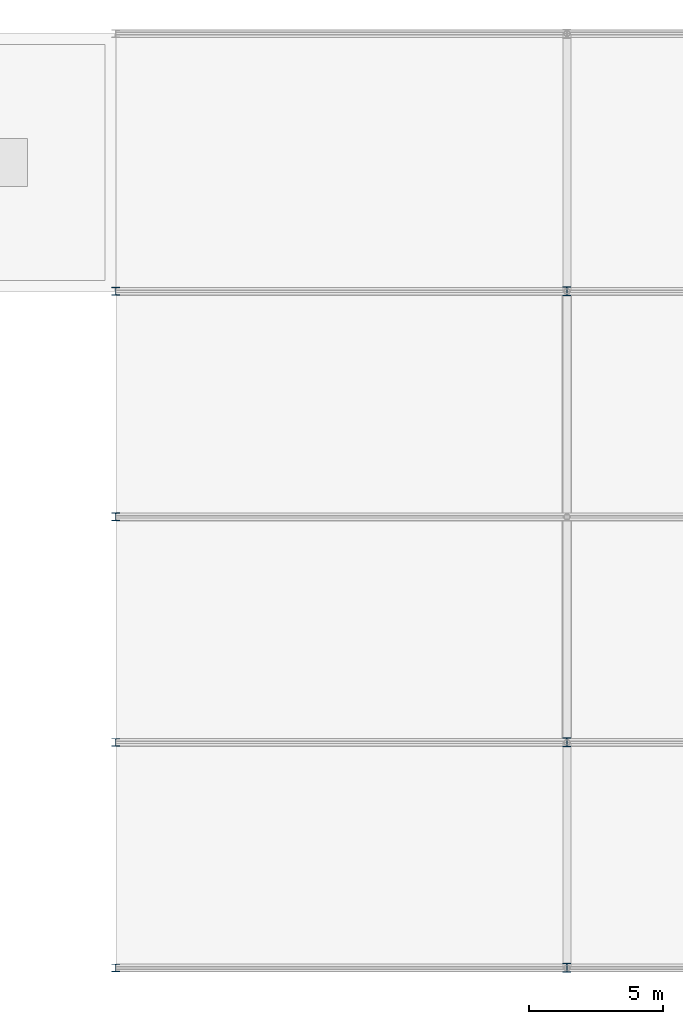
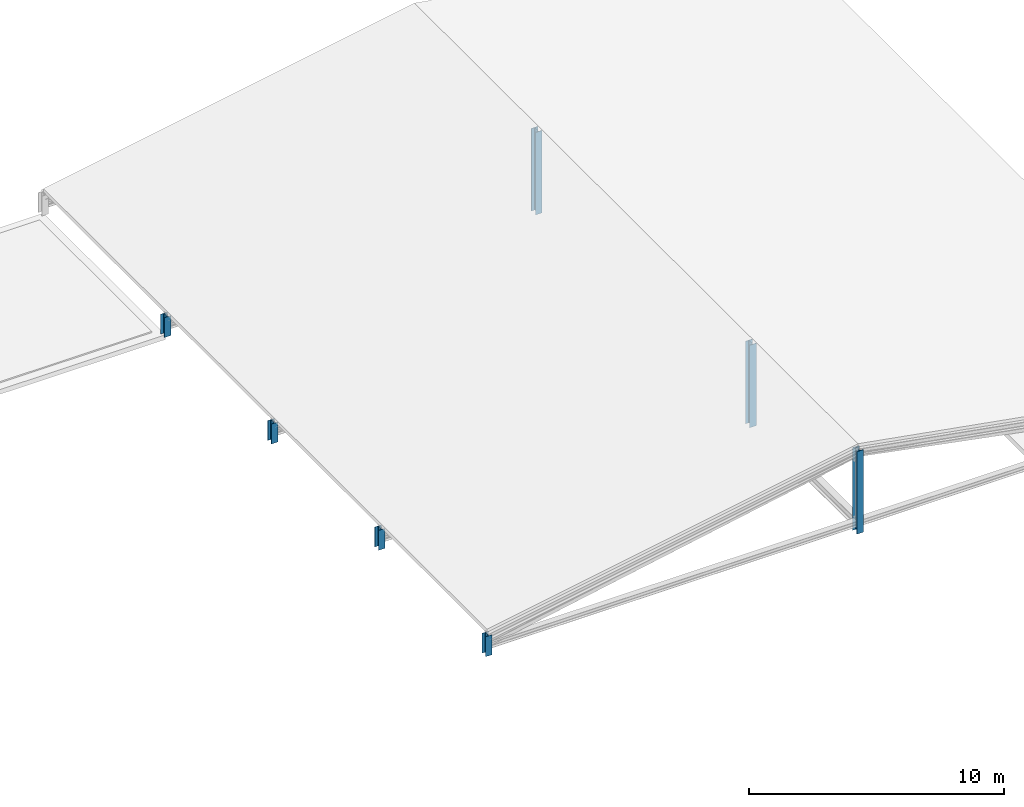
# One storey, part 6 of 90: 7 columns.
"""IFC4 building model written with IfcOpenShell, lengths in metres."""

from ifc_helpers import new_model, si_unit, derived_unit, direction, frame, origin, origin_2d, place, context, subcontext, project, spatial, i_section, extrude, material, material_profile, profile_set, type_object, element, save


model = new_model("IFC4")

# Units and contexts
model_context = context("Model", 3, precision=1e-05, world=origin(), true_north=direction((0.0, 1.0)))
body_context = subcontext(model_context, "Body", "Model", "MODEL_VIEW")
ifc_project = project(units=[si_unit("LENGTHUNIT", "METRE"), si_unit("AREAUNIT", "SQUARE_METRE"), si_unit("VOLUMEUNIT", "CUBIC_METRE"), si_unit("PLANEANGLEUNIT", "RADIAN"), si_unit("MASSUNIT", "GRAM", prefix="KILO"), derived_unit("THERMALTRANSMITTANCEUNIT", [(si_unit("POWERUNIT", "WATT"), 1), (si_unit("AREAUNIT", "SQUARE_METRE"), -1), (si_unit("THERMODYNAMICTEMPERATUREUNIT", "KELVIN"), -1)])], contexts=[model_context])

# Site, building, storey
site_placement = place(None, origin())
site = spatial("IfcSite", under=ifc_project, at=site_placement, CompositionType="ELEMENT")
building_placement = place(site_placement, origin())
building = spatial("IfcBuilding", under=site, at=building_placement, Name="Yasenodar Specialist Clinic", CompositionType="ELEMENT")
storey_placement = place(building_placement, frame((0.0, 0.0, 9.0)))
storey = spatial("IfcBuildingStorey", under=building, at=storey_placement, Name="L02", CompositionType="ELEMENT", Elevation=9.0)

# Columns
ifc_material = material(Name="Steel S355", Category="steel")
ifc_material_profile_1 = material_profile(ifc_material, i_section(OverallWidth=0.300048828125, OverallDepth=0.2900390625, WebThickness=0.008544921875, FlangeThickness=0.013916015625, FilletRadius=0.027099609375, at=origin_2d()), Name="HEA 300")
ifc_profile_set_1 = profile_set([ifc_material_profile_1], Name="Steel S355")
column_type_1 = type_object("IfcColumnType", Name="COL-ST-HEA300", PredefinedType="COLUMN", material=ifc_profile_set_1)
for number, where, z_axis, x_axis, name in (
    (1, (105.0, 0.0, 0.0), (0.0, 0.0, 1.0), (1.0, 0.0, 0.0), "L02 Conservatory Truss Eave Pier 01"),
    (2, (105.0, 8.39990234375, 0.0), (0.0, 0.0, 1.0), (1.0, 0.0, 0.0), "L02 Conservatory Truss Eave Pier 02"),
    (3, (105.0, 16.800048828125, 0.0), (0.0, 0.0, 1.0), (1.0, 0.0, 0.0), "L02 Conservatory Truss Eave Pier 03"),
    (4, (105.0, 25.199951171875, 0.0), (0.0, 0.0, 1.0), (1.0, 0.0, 0.0), "L02 Conservatory Truss Eave Pier 04"),
):
    element("IfcColumn", number, at=place(storey_placement, frame(where, z_axis=z_axis, x_axis=x_axis)), inside=storey, type_object=column_type_1, Name=name, PredefinedType="COLUMN", context=body_context, shape_type="SweptSolid", body=[
        extrude(i_section(OverallWidth=0.300048828125, OverallDepth=0.2900390625, WebThickness=0.008544921875, FlangeThickness=0.013916015625, FilletRadius=0.027099609375, at=origin_2d()), origin(), (0.0, 0.0, 1.0), 0.949951171875),
    ])
ifc_material_profile_2 = material_profile(ifc_material, i_section(OverallWidth=0.300048828125, OverallDepth=0.340087890625, WebThickness=0.011962890625, FlangeThickness=0.021484375, FilletRadius=0.027099609375, at=origin_2d()), Name="HEB 340")
ifc_profile_set_2 = profile_set([ifc_material_profile_2], Name="Steel S355")
column_type_2 = type_object("IfcColumnType", Name="COL-ST-HEB340", PredefinedType="COLUMN", material=ifc_profile_set_2)
for number, where, z_axis, x_axis, name in (
    (5, (121.800048828125, 0.0, 0.0), (0.0, 0.0, 1.0), (1.0, 0.0, 0.0), "L02 Conservatory Ridge Column 01"),
    (6, (121.800048828125, 8.39990234375, 0.0), (0.0, 0.0, 1.0), (1.0, 0.0, 0.0), "L02 Conservatory Ridge Column 02"),
    (7, (121.800048828125, 25.199951171875, 0.0), (0.0, 0.0, 1.0), (1.0, 0.0, 0.0), "L02 Conservatory Ridge Column 03"),
):
    element("IfcColumn", number, at=place(storey_placement, frame(where, z_axis=z_axis, x_axis=x_axis)), inside=storey, type_object=column_type_2, Name=name, PredefinedType="COLUMN", context=body_context, shape_type="SweptSolid", body=[
        extrude(i_section(OverallWidth=0.300048828125, OverallDepth=0.340087890625, WebThickness=0.011962890625, FlangeThickness=0.021484375, FilletRadius=0.027099609375, at=origin_2d()), origin(), (0.0, 0.0, 1.0), 3.949951171875),
    ])

save(model, "model.ifc")
